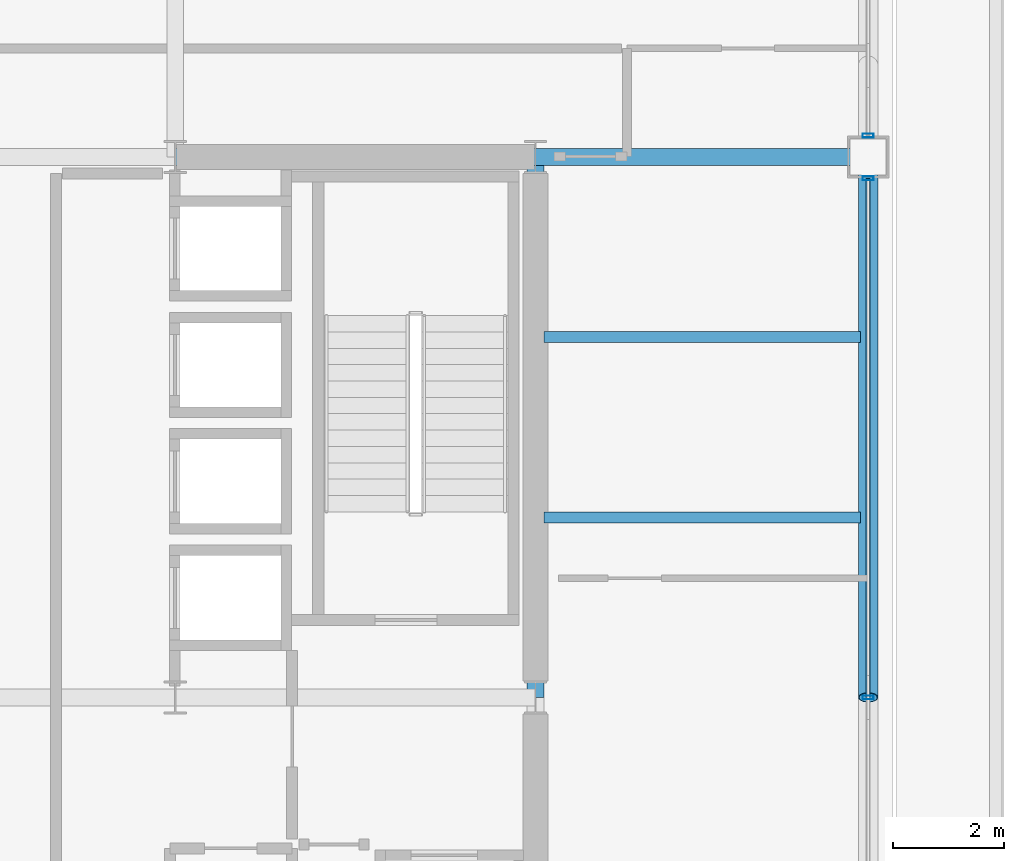
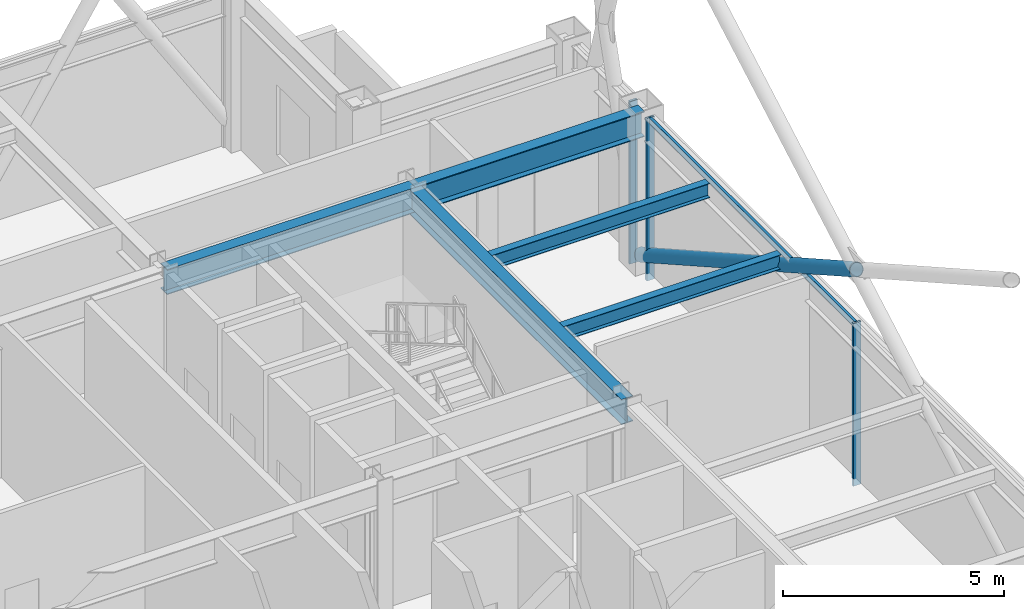
# One storey, part 14 of 24: 5 beams, 5 members, 2 elements without a shape of their own.
"""IFC4 building model written with IfcOpenShell, lengths in metres."""

from ifc_helpers import new_model, si_unit, direction, frame, origin, origin_2d, place, context, subcontext, project, spatial, hollow_rectangle, hollow_circle, i_section, extrude, material, layer, layer_set, material_profile, profile_set, type_object, element, aggregate, save


model = new_model("IFC4")

# Units and contexts
model_context = context("Model", 3, precision=1e-05, world=origin(), true_north=direction((0.0, 1.0)))
body_context = subcontext(model_context, "Body", "Model", "MODEL_VIEW")
ifc_project = project(units=[si_unit("LENGTHUNIT", "METRE"), si_unit("AREAUNIT", "SQUARE_METRE"), si_unit("VOLUMEUNIT", "CUBIC_METRE"), si_unit("PLANEANGLEUNIT", "RADIAN"), si_unit("MASSUNIT", "GRAM", prefix="KILO")], contexts=[model_context])

# Site, building, storey
site_placement = place(None, origin())
site = spatial("IfcSite", under=ifc_project, at=site_placement, CompositionType="ELEMENT")
building_placement = place(site_placement, origin())
building = spatial("IfcBuilding", under=site, at=building_placement, Name="Brelmoor Portico Tower", CompositionType="ELEMENT")
storey_placement = place(building_placement, frame((0.0, 0.0, 150.60009765625)))
storey = spatial("IfcBuildingStorey", under=building, at=storey_placement, Name="L39", CompositionType="ELEMENT", Elevation=150.60009765625)

# Beams
ifc_material_1 = material(Name="Steel Q355B", Category="steel")
ifc_material_profile_1 = material_profile(ifc_material_1, i_section(OverallWidth=0.199951171875, OverallDepth=0.39990234375, WebThickness=0.008056640625, FlangeThickness=0.012939453125, at=origin_2d()), Name="HN 400x200x8x13")
ifc_profile_set_1 = profile_set([ifc_material_profile_1], Name="Steel Q355B")
beam_type_1 = type_object("IfcBeamType", Name="BM-JS-400", PredefinedType="JOIST", material=ifc_profile_set_1)
for number, where, z_axis, x_axis, name in (
    (1, (14.699951171875, 3.25, 4.099853515625), (1.0, 0.0, 0.0), (0.0, 1.0, 0.0), "L39 Secondary Wing Joist JS-E09"),
    (2, (14.699951171875, 6.5, 4.099853515625), (1.0, 0.0, 0.0), (0.0, 1.0, 0.0), "L39 Secondary Wing Joist JS-E10"),
):
    element("IfcBeam", number, at=place(storey_placement, frame(where, z_axis=z_axis, x_axis=x_axis)), inside=storey, type_object=beam_type_1, Name=name, PredefinedType="JOIST", context=body_context, shape_type="SweptSolid", body=[
        extrude(i_section(OverallWidth=0.199951171875, OverallDepth=0.39990234375, WebThickness=0.008056640625, FlangeThickness=0.012939453125, at=origin_2d()), origin(), (0.0, 0.0, 1.0), 5.7099609375),
    ])
ifc_material_profile_2 = material_profile(ifc_material_1, i_section(OverallWidth=0.300048828125, OverallDepth=0.699951171875, WebThickness=0.012939453125, FlangeThickness=0.02392578125, at=origin_2d()), Name="HN 700x300x13x24")
ifc_profile_set_2 = profile_set([ifc_material_profile_2], Name="Steel Q355B")
beam_type_2 = type_object("IfcBeamType", Name="BM-PG-700", PredefinedType="BEAM", material=ifc_profile_set_2)
beam_1_placement = place(storey_placement, frame((14.550048828125, 0.0, 3.949951171875), z_axis=(0.0, 1.0, 0.0), x_axis=(-1.0, 0.0, 0.0)))
element("IfcBeam", 3, at=beam_1_placement, inside=storey, type_object=beam_type_2, Name="L39 Primary Floor Girder PG-09", PredefinedType="BEAM", context=body_context, shape_type="SweptSolid", body=[
    extrude(i_section(OverallWidth=0.300048828125, OverallDepth=0.699951171875, WebThickness=0.012939453125, FlangeThickness=0.02392578125, at=origin_2d()), origin(), (0.0, 0.0, 1.0), 9.75),
])
beam_2_placement = place(storey_placement, frame((8.050048828125, 9.75, 3.949951171875), z_axis=(1.0, 0.0, 0.0), x_axis=(0.0, 1.0, 0.0)))
element("IfcBeam", 4, at=beam_2_placement, inside=storey, type_object=beam_type_2, Name="L39 Primary Floor Girder PG-21", PredefinedType="BEAM", context=body_context, shape_type="SweptSolid", body=[
    extrude(i_section(OverallWidth=0.300048828125, OverallDepth=0.699951171875, WebThickness=0.012939453125, FlangeThickness=0.02392578125, at=origin_2d()), origin(), (0.0, 0.0, 1.0), 6.5),
])
beam_3_placement = place(storey_placement, frame((14.550048828125, 9.75, 3.949951171875), z_axis=(1.0, 0.0, 0.0), x_axis=(0.0, 1.0, 0.0)))
element("IfcBeam", 5, at=beam_3_placement, inside=storey, type_object=beam_type_2, Name="L39 Primary Floor Girder PG-22", PredefinedType="BEAM", context=body_context, shape_type="SweptSolid", body=[
    extrude(i_section(OverallWidth=0.300048828125, OverallDepth=0.699951171875, WebThickness=0.012939453125, FlangeThickness=0.02392578125, at=origin_2d()), origin(), (0.0, 0.0, 1.0), 6.0),
])

# Member
ifc_material_profile_3 = material_profile(ifc_material_1, hollow_circle(Radius=0.177978515625, WallThickness=0.01611328125, at=origin_2d()), Name="CHS 356x16")
ifc_profile_set_3 = profile_set([ifc_material_profile_3], Name="Steel Q355B")
member_type_1 = type_object("IfcMemberType", Name="MB-BELT-DIAG2", PredefinedType="BRACE", material=ifc_profile_set_3)
member_1_placement = place(storey_placement, frame((20.550048828125, 9.75, 0.25), z_axis=(0.0, -0.870978467743, 0.491321186932), x_axis=(1.0, 0.0, 0.0)))
element("IfcMember", 6, at=member_1_placement, inside=storey, type_object=member_type_1, Name="L39 Split Mega-X Brace 089B1", PredefinedType="BRACE", context=body_context, shape_type="SweptSolid", body=[
    extrude(hollow_circle(Radius=0.177978515625, WallThickness=0.01611328125, at=origin_2d()), origin(), (0.0, 0.0, 1.0), 11.1943359375),
])

# Curtain wall, members
ifc_material_2 = material(Name="Anodised Aluminium Alloy 6063-T6", Category="aluminium")
ifc_layer = layer(ifc_material_2, 0.179931640625)
ifc_layer_set = layer_set([ifc_layer], Name="Anodised Aluminium Alloy 6063-T6")
curtain_wall_type = type_object("IfcCurtainWallType", Name="CW-SKYLOBBY-XB", PredefinedType="NOTDEFINED", material=ifc_layer_set)
curtain_wall_1_placement = place(storey_placement, origin())
curtain_wall_1 = element("IfcCurtainWall", 7, at=curtain_wall_1_placement, inside=storey, type_object=curtain_wall_type, Name="L39 Curtain Wall CW-L39-04-2", PredefinedType="NOTDEFINED")
ifc_material_profile_4 = material_profile(ifc_material_2, hollow_rectangle(XDim=0.070068359375, YDim=0.199951171875, WallThickness=0.00439453125, at=origin_2d()), Name="ALU MULLION 70x200")
ifc_profile_set_4 = profile_set([ifc_material_profile_4], Name="Anodised Aluminium Alloy 6063-T6")
member_type_2 = type_object("IfcMemberType", Name="MB-CW-MULL-200", PredefinedType="MULLION", material=ifc_profile_set_4)
member_2_placement = place(storey_placement, frame((20.550048828125, 0.0, -0.2001953125), z_axis=(0.0, 0.0, 1.0), x_axis=(0.0, 1.0, 0.0)))
member_2 = element("IfcMember", 8, at=member_2_placement, type_object=member_type_2, Name="CW-L39-04-2 Mullion 01", PredefinedType="MULLION", context=body_context, shape_type="SweptSolid", body=[
    extrude(hollow_rectangle(XDim=0.070068359375, YDim=0.199951171875, WallThickness=0.00439453125, at=origin_2d()), origin(), (0.0, 0.0, 1.0), 4.5),
])
member_3_placement = place(storey_placement, frame((20.550048828125, 9.364990234375, -0.2001953125), z_axis=(0.0, 0.0, 1.0), x_axis=(0.0, 1.0, 0.0)))
member_3 = element("IfcMember", 9, at=member_3_placement, type_object=member_type_2, Name="CW-L39-04-2 Mullion 02", PredefinedType="MULLION", context=body_context, shape_type="SweptSolid", body=[
    extrude(hollow_rectangle(XDim=0.070068359375, YDim=0.199951171875, WallThickness=0.00439453125, at=origin_2d()), origin(), (0.0, 0.0, 1.0), 4.5),
])

# Curtain wall, member
curtain_wall_2_placement = place(storey_placement, origin())
curtain_wall_2 = element("IfcCurtainWall", 10, at=curtain_wall_2_placement, inside=storey, type_object=curtain_wall_type, Name="L39 Curtain Wall CW-L39-04-3", PredefinedType="NOTDEFINED")
member_4_placement = place(storey_placement, frame((20.550048828125, 10.135009765625, -0.2001953125), z_axis=(0.0, 0.0, 1.0), x_axis=(0.0, 1.0, 0.0)))
member_4 = element("IfcMember", 11, at=member_4_placement, type_object=member_type_2, Name="CW-L39-04-3 Mullion 00", PredefinedType="MULLION", context=body_context, shape_type="SweptSolid", body=[
    extrude(hollow_rectangle(XDim=0.070068359375, YDim=0.199951171875, WallThickness=0.00439453125, at=origin_2d()), origin(), (0.0, 0.0, 1.0), 4.5),
])
aggregate(curtain_wall_2, [member_4])

# Member
ifc_material_profile_5 = material_profile(ifc_material_2, hollow_rectangle(XDim=0.070068359375, YDim=0.159912109375, WallThickness=0.00390625, at=origin_2d()), Name="ALU TRANSOM 70x160")
ifc_profile_set_5 = profile_set([ifc_material_profile_5], Name="Anodised Aluminium Alloy 6063-T6")
member_type_3 = type_object("IfcMemberType", Name="MB-CW-TRAN-160", PredefinedType="USERDEFINED", material=ifc_profile_set_5)
member_5_placement = place(storey_placement, frame((20.550048828125, 0.0, 4.219970703125), z_axis=(0.0, 1.0, 0.0), x_axis=(-1.0, 0.0, 0.0)))
member_5 = element("IfcMember", 12, at=member_5_placement, type_object=member_type_3, Name="CW-L39-04-2 Transom 1-01", ObjectType="TRANSOM", PredefinedType="USERDEFINED", context=body_context, shape_type="SweptSolid", body=[
    extrude(hollow_rectangle(XDim=0.070068359375, YDim=0.159912109375, WallThickness=0.00390625, at=origin_2d()), origin(), (0.0, 0.0, 1.0), 9.364990234375),
])

aggregate(curtain_wall_1, [member_2, member_3, member_5])

save(model, "model.ifc")
